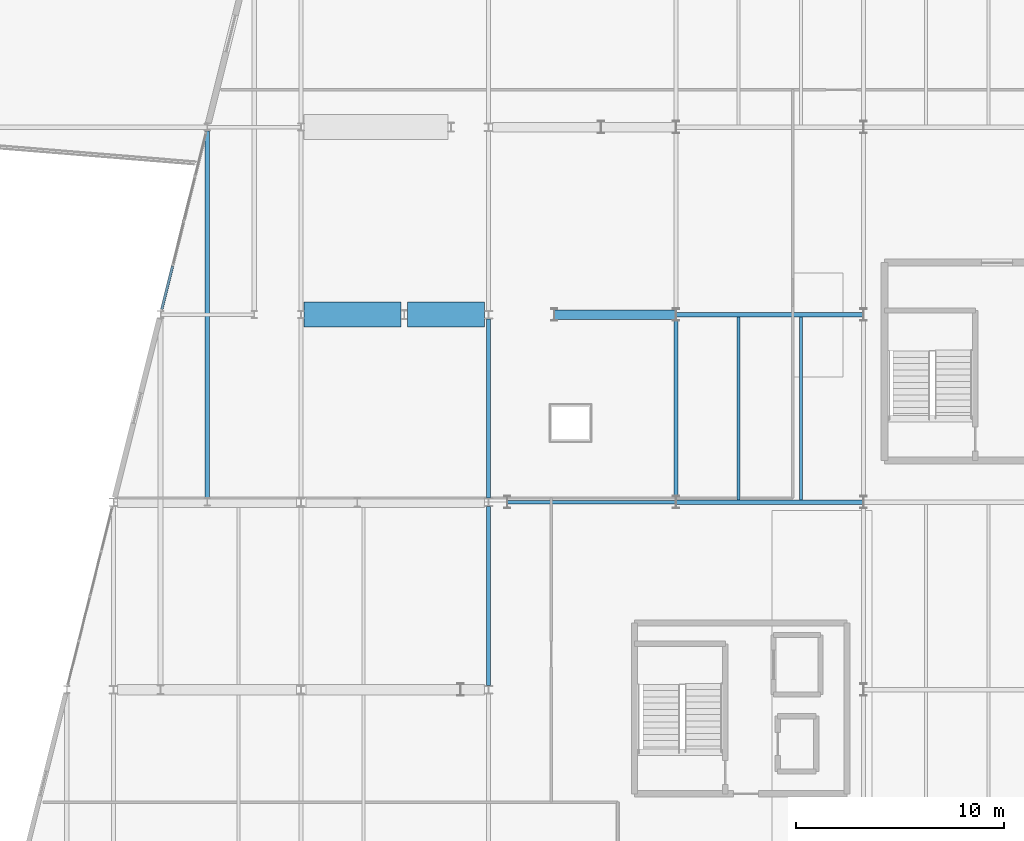
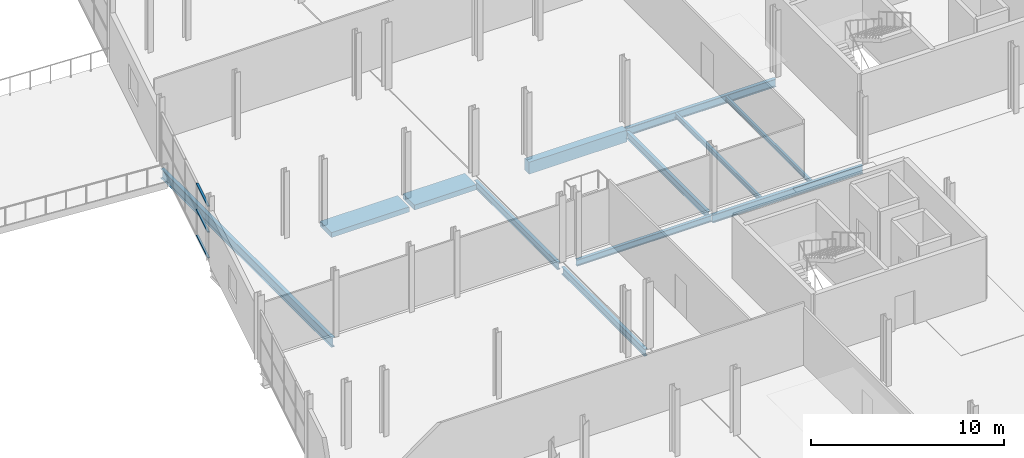
# One storey, part 89 of 135: 12 beams, 3 members, 1 element without a shape of its own.
"""IFC4 building model written with IfcOpenShell, lengths in metres."""

from ifc_helpers import new_model, si_unit, direction, frame, origin, origin_2d, place, context, subcontext, project, spatial, rectangle, hollow_rectangle, i_section, extrude, material, layer, layer_set, material_profile, profile_set, type_object, element, aggregate, save


model = new_model("IFC4")

# Units and contexts
model_context = context("Model", 3, precision=1e-05, world=origin(), true_north=direction((0.0, 1.0)))
body_context = subcontext(model_context, "Body", "Model", "MODEL_VIEW")
ifc_project = project(units=[si_unit("LENGTHUNIT", "METRE"), si_unit("AREAUNIT", "SQUARE_METRE"), si_unit("VOLUMEUNIT", "CUBIC_METRE"), si_unit("PLANEANGLEUNIT", "RADIAN"), si_unit("MASSUNIT", "GRAM", prefix="KILO")], contexts=[model_context])

# Site, building, storey
site_placement = place(None, origin())
site = spatial("IfcSite", under=ifc_project, at=site_placement, CompositionType="ELEMENT")
building_placement = place(site_placement, origin())
building = spatial("IfcBuilding", under=site, at=building_placement, Name="Deido Ridge Mobility Hub", CompositionType="ELEMENT")
storey_placement = place(building_placement, frame((0.0, 0.0, 4.199951171875)))
storey = spatial("IfcBuildingStorey", under=building, at=storey_placement, Name="L01", CompositionType="ELEMENT", Elevation=4.199951171875)

# Beams
ifc_material_1 = material(Name="Steel S355J2 EN 10025-2", Category="steel")
ifc_material_profile_1 = material_profile(ifc_material_1, i_section(OverallWidth=0.179931640625, OverallDepth=0.39990234375, WebThickness=0.008544921875, FlangeThickness=0.013427734375, FilletRadius=0.02099609375, at=origin_2d()), Name="IPE 400")
ifc_profile_set_1 = profile_set([ifc_material_profile_1], Name="Steel S355J2 EN 10025-2")
beam_type_1 = type_object("IfcBeamType", Name="BM-IPE400", PredefinedType="BEAM", material=ifc_profile_set_1)
beam_1_placement = place(storey_placement, frame((144.90771484375, 36.0, -0.449951171875), z_axis=(1.0, 0.0, 0.0), x_axis=(0.0, 1.0, 0.0)))
element("IfcBeam", 1, at=beam_1_placement, inside=storey, type_object=beam_type_1, Name="Floor beam B5", PredefinedType="BEAM", context=body_context, shape_type="SweptSolid", body=[
    extrude(i_section(OverallWidth=0.179931640625, OverallDepth=0.39990234375, WebThickness=0.008544921875, FlangeThickness=0.013427734375, FilletRadius=0.02099609375, at=origin_2d()), origin(), (0.0, 0.0, 1.0), 8.08447265625),
])
ifc_material_profile_2 = material_profile(ifc_material_1, i_section(OverallWidth=0.18994140625, OverallDepth=0.449951171875, WebThickness=0.009521484375, FlangeThickness=0.0146484375, FilletRadius=0.02099609375, at=origin_2d()), Name="IPE 450")
ifc_profile_set_2 = profile_set([ifc_material_profile_2], Name="Steel S355J2 EN 10025-2")
beam_type_2 = type_object("IfcBeamType", Name="BM-IPE450", PredefinedType="BEAM", material=ifc_profile_set_2)
for number, where, z_axis, x_axis, name in (
    (2, (144.0, 27.196533203125, -0.474853515625), (0.0, 1.0, 0.0), (-1.0, 0.0, 0.0), "Floor beam B4"),
    (3, (144.0, 36.196533203125, -0.474853515625), (0.0, 1.0, 0.0), (-1.0, 0.0, 0.0), "Floor beam B4"),
):
    element("IfcBeam", number, at=place(storey_placement, frame(where, z_axis=z_axis, x_axis=x_axis)), inside=storey, type_object=beam_type_2, Name=name, PredefinedType="BEAM", context=body_context, shape_type="SweptSolid", body=[
        extrude(i_section(OverallWidth=0.18994140625, OverallDepth=0.449951171875, WebThickness=0.009521484375, FlangeThickness=0.0146484375, FilletRadius=0.02099609375, at=origin_2d()), origin(), (0.0, 0.0, 1.0), 8.60693359375),
    ])
beam_2_placement = place(storey_placement, frame((153.0, 36.300048828125, -0.474853515625), z_axis=(0.0, 1.0, 0.0), x_axis=(-1.0, 0.0, 0.0)))
element("IfcBeam", 4, at=beam_2_placement, inside=storey, type_object=beam_type_2, Name="Floor beam B4", PredefinedType="BEAM", context=body_context, shape_type="SweptSolid", body=[
    extrude(i_section(OverallWidth=0.18994140625, OverallDepth=0.449951171875, WebThickness=0.009521484375, FlangeThickness=0.0146484375, FilletRadius=0.02099609375, at=origin_2d()), origin(), (0.0, 0.0, 1.0), 8.39990234375),
])
ifc_material_profile_3 = material_profile(ifc_material_1, i_section(OverallWidth=0.199951171875, OverallDepth=0.5, WebThickness=0.01025390625, FlangeThickness=0.01611328125, FilletRadius=0.02099609375, at=origin_2d()), Name="IPE 500")
ifc_profile_set_3 = profile_set([ifc_material_profile_3], Name="Steel S355J2 EN 10025-2")
beam_type_3 = type_object("IfcBeamType", Name="BM-IPE500", PredefinedType="BEAM", material=ifc_profile_set_3)
for number, where, z_axis, x_axis, name in (
    (5, (153.0078125, 36.0, -0.5), (1.0, 0.0, 0.0), (0.0, 1.0, 0.0), "Floor beam B3"),
    (6, (153.0078125, 45.0, -0.5), (1.0, 0.0, 0.0), (0.0, 1.0, 0.0), "Floor beam B3"),
):
    element("IfcBeam", number, at=place(storey_placement, frame(where, z_axis=z_axis, x_axis=x_axis)), inside=storey, type_object=beam_type_3, Name=name, PredefinedType="BEAM", context=body_context, shape_type="SweptSolid", body=[
        extrude(i_section(OverallWidth=0.199951171875, OverallDepth=0.5, WebThickness=0.01025390625, FlangeThickness=0.01611328125, FilletRadius=0.02099609375, at=origin_2d()), origin(), (0.0, 0.0, 1.0), 8.984375),
    ])
ifc_material_profile_4 = material_profile(ifc_material_1, i_section(OverallWidth=0.219970703125, OverallDepth=0.60009765625, WebThickness=0.011962890625, FlangeThickness=0.01904296875, FilletRadius=0.02392578125, at=origin_2d()), Name="IPE 600")
ifc_profile_set_4 = profile_set([ifc_material_profile_4], Name="Steel S355J2 EN 10025-2")
beam_type_4 = type_object("IfcBeamType", Name="BM-IPE600", PredefinedType="BEAM", material=ifc_profile_set_4)
beam_3_placement = place(storey_placement, frame((130.5, 36.179931640625, -0.550048828125), z_axis=(0.0, 1.0, 0.0), x_axis=(-1.0, 0.0, 0.0)))
element("IfcBeam", 7, at=beam_3_placement, inside=storey, type_object=beam_type_4, Name="Floor beam B1", PredefinedType="BEAM", context=body_context, shape_type="SweptSolid", body=[
    extrude(i_section(OverallWidth=0.219970703125, OverallDepth=0.60009765625, WebThickness=0.011962890625, FlangeThickness=0.01904296875, FilletRadius=0.02392578125, at=origin_2d()), origin(), (0.0, 0.0, 1.0), 17.64013671875),
])
ifc_material_2 = material(Name="Concrete C40/50", Category="concrete")
ifc_material_profile_5 = material_profile(ifc_material_2, rectangle(XDim=0.449951171875, YDim=0.75, at=origin_2d()), Name="RC BEAM 450x750")
ifc_profile_set_5 = profile_set([ifc_material_profile_5], Name="Concrete C40/50")
beam_type_5 = type_object("IfcBeamType", Name="BM-RC450X750", PredefinedType="BEAM", material=ifc_profile_set_5)
beam_4_placement = place(storey_placement, frame((147.15771484375, 45.0, -0.625), z_axis=(1.0, 0.0, 0.0), x_axis=(0.0, 1.0, 0.0)))
element("IfcBeam", 8, at=beam_4_placement, inside=storey, type_object=beam_type_5, Name="Concrete plant girder RCB1", PredefinedType="BEAM", context=body_context, shape_type="SweptSolid", body=[
    extrude(rectangle(XDim=0.449951171875, YDim=0.75, at=origin_2d()), origin(), (0.0, 0.0, 1.0), 5.83447265625),
])
ifc_material_3 = material(Name="Precast concrete C40/50", Category="concrete")
ifc_material_profile_6 = material_profile(ifc_material_3, rectangle(XDim=1.199951171875, YDim=0.320068359375, at=origin_2d()), Name="RC HC 1200x320")
ifc_profile_set_6 = profile_set([ifc_material_profile_6], Name="Precast concrete C40/50")
beam_type_6 = type_object("IfcBeamType", Name="HC-1200X320", PredefinedType="HOLLOWCORE", material=ifc_profile_set_6)
beam_5_placement = place(storey_placement, frame((135.14990234375, 45.0, -0.409912109375), z_axis=(1.0, 0.0, 0.0), x_axis=(0.0, 1.0, 0.0)))
element("IfcBeam", 9, at=beam_5_placement, inside=storey, type_object=beam_type_6, Name="Precast hollowcore beam HC1", PredefinedType="HOLLOWCORE", context=body_context, shape_type="SweptSolid", body=[
    extrude(rectangle(XDim=1.199951171875, YDim=0.320068359375, at=origin_2d()), origin(), (0.0, 0.0, 1.0), 4.650146484375),
])
beam_6_placement = place(storey_placement, frame((140.10009765625, 45.0, -0.409912109375), z_axis=(1.0, 0.0, 0.0), x_axis=(0.0, 1.0, 0.0)))
element("IfcBeam", 10, at=beam_6_placement, inside=storey, type_object=beam_type_6, Name="Precast hollowcore beam HC1", PredefinedType="HOLLOWCORE", context=body_context, shape_type="SweptSolid", body=[
    extrude(rectangle(XDim=1.199951171875, YDim=0.320068359375, at=origin_2d()), origin(), (0.0, 0.0, 1.0), 3.700439453125),
])
ifc_material_profile_7 = material_profile(ifc_material_1, i_section(OverallWidth=0.135009765625, OverallDepth=0.27001953125, WebThickness=0.006591796875, FlangeThickness=0.01025390625, FilletRadius=0.014892578125, at=origin_2d()), Name="IPE 270")
ifc_profile_set_7 = profile_set([ifc_material_profile_7], Name="Steel S355J2 EN 10025-2")
beam_type_7 = type_object("IfcBeamType", Name="JST-IPE270", PredefinedType="JOIST", material=ifc_profile_set_7)
beam_7_placement = place(storey_placement, frame((159.0, 36.10009765625, -0.385009765625), z_axis=(0.0, 1.0, 0.0), x_axis=(-1.0, 0.0, 0.0)))
element("IfcBeam", 11, at=beam_7_placement, inside=storey, type_object=beam_type_7, Name="Composite joist J4", PredefinedType="JOIST", context=body_context, shape_type="SweptSolid", body=[
    extrude(i_section(OverallWidth=0.135009765625, OverallDepth=0.27001953125, WebThickness=0.006591796875, FlangeThickness=0.01025390625, FilletRadius=0.014892578125, at=origin_2d()), origin(), (0.0, 0.0, 1.0), 8.7998046875),
])
ifc_material_profile_8 = material_profile(ifc_material_1, i_section(OverallWidth=0.14990234375, OverallDepth=0.300048828125, WebThickness=0.007080078125, FlangeThickness=0.0107421875, FilletRadius=0.014892578125, at=origin_2d()), Name="IPE 300")
ifc_profile_set_8 = profile_set([ifc_material_profile_8], Name="Steel S355J2 EN 10025-2")
beam_type_8 = type_object("IfcBeamType", Name="JST-IPE300", PredefinedType="JOIST", material=ifc_profile_set_8)
beam_8_placement = place(storey_placement, frame((156.0, 36.10009765625, -0.39990234375), z_axis=(0.0, 1.0, 0.0), x_axis=(-1.0, 0.0, 0.0)))
element("IfcBeam", 12, at=beam_8_placement, inside=storey, type_object=beam_type_8, Name="Composite joist J3", PredefinedType="JOIST", context=body_context, shape_type="SweptSolid", body=[
    extrude(i_section(OverallWidth=0.14990234375, OverallDepth=0.300048828125, WebThickness=0.007080078125, FlangeThickness=0.0107421875, FilletRadius=0.014892578125, at=origin_2d()), origin(), (0.0, 0.0, 1.0), 8.7998046875),
])

# Curtain wall, members
ifc_material_4 = material(Name="Anodised aluminium EN AW-6063 T6", Category="aluminium")
ifc_layer = layer(ifc_material_4, 0.2099609375, Name="Anodised aluminium EN AW-6063 T6")
ifc_layer_set = layer_set([ifc_layer], Name="Anodised aluminium EN AW-6063 T6")
curtain_wall_type = type_object("IfcCurtainWallType", Name="CW-UF-4", PredefinedType="USERDEFINED", material=ifc_layer_set)
curtain_wall_placement = place(storey_placement, origin())
curtain_wall = element("IfcCurtainWall", 13, at=curtain_wall_placement, inside=storey, type_object=curtain_wall_type, Name="Unitised curtain wall CW4", ObjectType="UNITISED FACADE", PredefinedType="USERDEFINED")
ifc_material_profile_9 = material_profile(ifc_material_4, hollow_rectangle(XDim=0.125, YDim=0.06005859375, WallThickness=0.00390625, at=origin_2d()), Name="RHS 125x60x4")
ifc_profile_set_9 = profile_set([ifc_material_profile_9], Name="Anodised aluminium EN AW-6063 T6")
member_type = type_object("IfcMemberType", Name="MEM-TRN-125X60", PredefinedType="USERDEFINED", material=ifc_profile_set_9)
member_1_placement = place(storey_placement, frame((128.315673828125, 45.262939453125, 0.030029296875), z_axis=(0.242562674028, 0.970135737497, 0.0), x_axis=(-0.970135737497, 0.242562674028, 0.0)))
member_1 = element("IfcMember", 14, at=member_1_placement, type_object=member_type, Name="CW4 transom 1.1", ObjectType="TRANSOM", PredefinedType="USERDEFINED", context=body_context, shape_type="SweptSolid", body=[
    extrude(hollow_rectangle(XDim=0.125, YDim=0.06005859375, WallThickness=0.00390625, at=origin_2d()), origin(), (0.0, 0.0, 1.0), 2.123779296875),
])
member_2_placement = place(storey_placement, frame((128.315673828125, 45.262939453125, 1.66015625), z_axis=(0.242562674028, 0.970135737497, 0.0), x_axis=(-0.970135737497, 0.242562674028, 0.0)))
member_2 = element("IfcMember", 15, at=member_2_placement, type_object=member_type, Name="CW4 transom 1.2", ObjectType="TRANSOM", PredefinedType="USERDEFINED", context=body_context, shape_type="SweptSolid", body=[
    extrude(hollow_rectangle(XDim=0.125, YDim=0.06005859375, WallThickness=0.00390625, at=origin_2d()), origin(), (0.0, 0.0, 1.0), 2.123779296875),
])
member_3_placement = place(storey_placement, frame((128.315673828125, 45.262939453125, 3.2900390625), z_axis=(0.242562674028, 0.970135737497, 0.0), x_axis=(-0.970135737497, 0.242562674028, 0.0)))
member_3 = element("IfcMember", 16, at=member_3_placement, type_object=member_type, Name="CW4 transom 1.3", ObjectType="TRANSOM", PredefinedType="USERDEFINED", context=body_context, shape_type="SweptSolid", body=[
    extrude(hollow_rectangle(XDim=0.125, YDim=0.06005859375, WallThickness=0.00390625, at=origin_2d()), origin(), (0.0, 0.0, 1.0), 2.123779296875),
])
aggregate(curtain_wall, [member_1, member_2, member_3])

save(model, "model.ifc")
